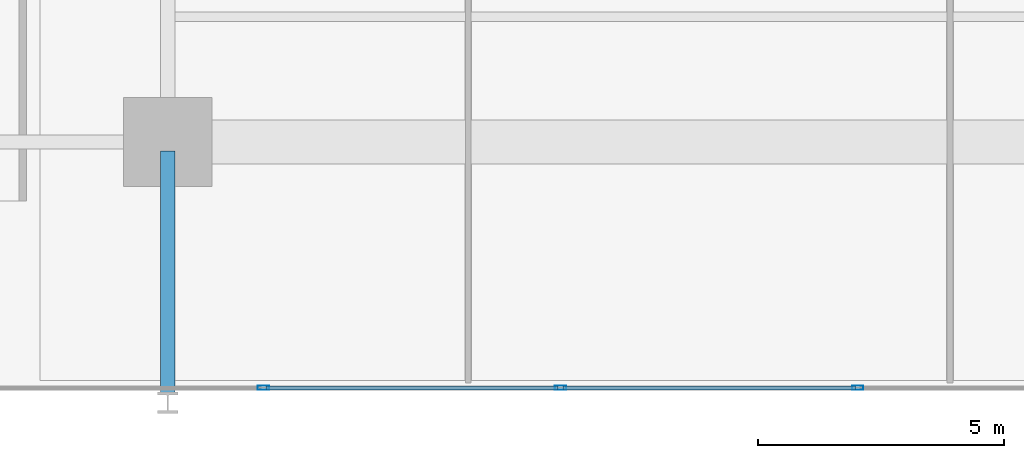
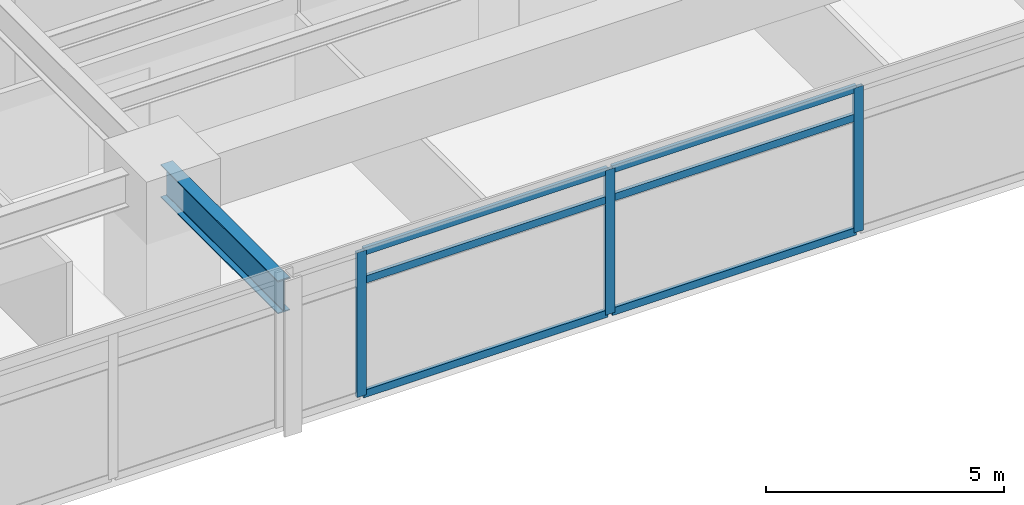
# One storey, part 4 of 21: 9 members, 1 beam, 1 element without a shape of its own.
"""IFC4 building model written with IfcOpenShell, lengths in metres."""

import ifcopenshell
import ifcopenshell.guid

model = None  # the IFC model being written
_history = None  # IfcOwnerHistory: only IFC2X3 demands one
_inside = {}  # id of a spatial element -> (the spatial element, [elements in it])
_under = {}  # id of a project, library or spatial element -> (it, [spatial elements below it])
_declared = {}  # id of a project -> (the project, [libraries it declares])
_typed = {}  # id of a type object -> (the type object, [elements of that type])
_made_of = {}  # id of a material, layer set ... -> (it, [elements and type objects made of it])


def new_model(schema):
    """Start an empty IFC model of exactly this schema.

    Asked for "IFC4X3", IfcOpenShell would pick the latest addendum, in which some entities
    have other attributes; the version numbers below select the first issue.
    IFC2X3 requires an IfcOwnerHistory on every rooted entity: one is made here for all.
    """
    global model, _history
    if schema == "IFC4X3":
        model = ifcopenshell.file(schema_version=(4, 3, 0, 0))
    else:
        model = ifcopenshell.file(schema=schema)
    _inside.clear()
    _under.clear()
    _declared.clear()
    _typed.clear()
    _made_of.clear()
    _history = None
    if model.schema == "IFC2X3":
        org = make("IfcOrganization", Name="unknown")
        user = make(
            "IfcPersonAndOrganization",
            ThePerson=make("IfcPerson", FamilyName="unknown"),
            TheOrganization=org,
        )
        app = make(
            "IfcApplication",
            ApplicationDeveloper=org,
            Version="unknown",
            ApplicationFullName="unknown",
            ApplicationIdentifier="unknown",
        )
        _history = make(
            "IfcOwnerHistory",
            OwningUser=user,
            OwningApplication=app,
            ChangeAction="ADDED",
            CreationDate=0,
        )
    return model


def make(cls, **values):
    """One entity of the class cls with the attributes given. An attribute that is None is left unset."""
    return model.create_entity(
        cls, **{name: value for name, value in values.items() if value is not None}
    )


def rooted(cls, **values):
    """An entity with a GlobalId (a new one), such as an element, a storey or a relation."""
    return make(cls, GlobalId=ifcopenshell.guid.new(), OwnerHistory=_history, **values)


def si_unit(unit_type, name, prefix=None):
    """IfcSIUnit, for example si_unit("LENGTHUNIT", "METRE", prefix="MILLI")."""
    return make("IfcSIUnit", UnitType=unit_type, Prefix=prefix, Name=name)


def assignment(units):
    """IfcUnitAssignment: the units of a project."""
    return None if units is None else make("IfcUnitAssignment", Units=units)


def point(xyz):
    """IfcCartesianPoint."""
    return None if xyz is None else make("IfcCartesianPoint", Coordinates=xyz)


def direction(xyz):
    """IfcDirection."""
    return None if xyz is None else make("IfcDirection", DirectionRatios=xyz)


def frame(location, z_axis=None, x_axis=None):
    """IfcAxis2Placement3D, a coordinate frame: its origin and axes. An axis left out is left unset."""
    return make(
        "IfcAxis2Placement3D",
        Location=point(location),
        Axis=direction(z_axis),
        RefDirection=direction(x_axis),
    )


def frame_2d(location, x_axis=None):
    """IfcAxis2Placement2D, a coordinate frame in the plane: its origin and x axis."""
    return make(
        "IfcAxis2Placement2D", Location=point(location), RefDirection=direction(x_axis)
    )


def origin():
    """The frame at (0, 0, 0) with its axes left unset."""
    return frame((0.0, 0.0, 0.0))


def origin_2d():
    """The frame at (0, 0) in the plane with its x axis left unset."""
    return frame_2d((0.0, 0.0))


def place(relative_to, where):
    """IfcLocalPlacement: puts the frame where relative to a parent placement (None: the world)."""
    return make(
        "IfcLocalPlacement", PlacementRelTo=relative_to, RelativePlacement=where
    )


def context(
    kind, dimensions, precision=None, world=None, true_north=None, identifier=None
):
    """IfcGeometricRepresentationContext, for example the 3D "Model" context."""
    return make(
        "IfcGeometricRepresentationContext",
        ContextIdentifier=identifier,
        ContextType=kind,
        CoordinateSpaceDimension=dimensions,
        Precision=precision,
        WorldCoordinateSystem=world,
        TrueNorth=true_north,
    )


def subcontext(parent, identifier, kind, view, scale=None):
    """IfcGeometricRepresentationSubContext, for example "Body" below "Model"."""
    return make(
        "IfcGeometricRepresentationSubContext",
        ContextIdentifier=identifier,
        ContextType=kind,
        ParentContext=parent,
        TargetScale=scale,
        TargetView=view,
    )


def project(units=None, contexts=None):
    """IfcProject with its units and contexts."""
    return rooted(
        "IfcProject",
        Name="project",
        RepresentationContexts=contexts,
        UnitsInContext=assignment(units),
    )


def spatial(cls, under=None, at=None, **own):
    """A site, building, storey or space (cls), placed at a placement, below another one or the project."""
    s = rooted(cls, ObjectPlacement=at, **own)
    if under is not None:
        _under.setdefault(under.id(), (under, []))[1].append(s)
    return s


def profile(cls, at=None, kind="AREA", **sizes):
    """A parametric profile (cls). Its sizes go by their IFC names, for example OverallWidth=200.0."""
    return make(cls, ProfileType=kind, Position=at, **sizes)


def hollow_rectangle(**sizes):
    """IfcRectangleHollowProfileDef."""
    return profile("IfcRectangleHollowProfileDef", **sizes)


def i_section(**sizes):
    """IfcIShapeProfileDef."""
    return profile("IfcIShapeProfileDef", **sizes)


def extrude(swept, where, along, depth):
    """IfcExtrudedAreaSolid: the profile swept, set in the frame where, extruded along a direction by depth."""
    return make(
        "IfcExtrudedAreaSolid",
        SweptArea=swept,
        Position=where,
        ExtrudedDirection=direction(along),
        Depth=depth,
    )


def shape(context_of_items, identifier, shape_type, items):
    """IfcShapeRepresentation: the items that make up one representation, for example the "Body"."""
    return make(
        "IfcShapeRepresentation",
        ContextOfItems=context_of_items,
        RepresentationIdentifier=identifier,
        RepresentationType=shape_type,
        Items=items,
    )


def material(Name=None, Category=None):
    """IfcMaterial."""
    return make("IfcMaterial", Name=Name, Category=Category)


def material_profile(
    of_material, cross_section, Name=None, Category=None, Priority=None
):
    """IfcMaterialProfile: a cross section and its material."""
    return make(
        "IfcMaterialProfile",
        Name=Name,
        Material=of_material,
        Profile=cross_section,
        Priority=Priority,
        Category=Category,
    )


def profile_set(profiles, Name=None, composite=None):
    """IfcMaterialProfileSet."""
    return make(
        "IfcMaterialProfileSet",
        Name=Name,
        MaterialProfiles=profiles,
        CompositeProfile=composite,
    )


def made_of(thing, what):
    """Note that an element or type object is made of a material, layer set ...; save() writes the relation."""
    if what is not None:
        _made_of.setdefault(what.id(), (what, []))[1].append(thing)
    return thing


def type_object(cls, material=None, **own):
    """A type object (cls), such as IfcWallType, which elements share."""
    return made_of(rooted(cls, **own), material)


def element(
    cls,
    number,
    at=None,
    inside=None,
    cuts=None,
    type_object=None,
    material=None,
    context=None,
    identifier="Body",
    shape_type=None,
    held_by="IfcProductDefinitionShape",
    body=None,
    shapes=None,
    **own,
):
    """One element of the class cls, such as IfcWall. Its Tag is "e" and its number.

    at: its placement. inside: the storey or other place that contains it. cuts: it is an
    opening in that element (IfcRelVoidsElement). A single representation is given by context,
    identifier, shape_type and body (its items); several are given by shapes. held_by: the class
    of the entity that holds the representations. save() writes the other relations.
    """
    e = rooted(cls, Tag="e%d" % number, ObjectPlacement=at, **own)
    if body is not None:
        shapes = [shape(context, identifier, shape_type, body)]
    if shapes is not None:
        e.Representation = make(held_by, Representations=shapes)
    if inside is not None:
        _inside.setdefault(inside.id(), (inside, []))[1].append(e)
    if cuts is not None:
        rooted(
            "IfcRelVoidsElement", RelatingBuildingElement=cuts, RelatedOpeningElement=e
        )
    if type_object is not None:
        _typed.setdefault(type_object.id(), (type_object, []))[1].append(e)
    return made_of(e, material)


def aggregate(whole, parts):
    """IfcRelAggregates: a whole, such as a stair, and the parts it consists of."""
    return rooted("IfcRelAggregates", RelatingObject=whole, RelatedObjects=parts)


def save(model, path):
    """Write the relations noted so far, then the file.

    IfcRelAggregates (storeys below a building ...), IfcRelContainedInSpatialStructure (elements
    in a storey), IfcRelDefinesByType, IfcRelAssociatesMaterial and IfcRelDeclares: one each for
    every whole, place, type object, material and project.
    """
    for whole, parts in _under.values():
        aggregate(whole, parts)
    for where, things in _inside.values():
        rooted(
            "IfcRelContainedInSpatialStructure",
            RelatedElements=things,
            RelatingStructure=where,
        )
    for kind, things in _typed.values():
        rooted("IfcRelDefinesByType", RelatedObjects=things, RelatingType=kind)
    for what, things in _made_of.values():
        rooted("IfcRelAssociatesMaterial", RelatedObjects=things, RelatingMaterial=what)
    for by, libraries in _declared.values():
        rooted("IfcRelDeclares", RelatingContext=by, RelatedDefinitions=libraries)
    model.write(path)


model = new_model("IFC4")

# Units and contexts
model_context = context("Model", 3, precision=1e-05, world=origin(), true_north=direction((0.0, 1.0)))
body_context = subcontext(model_context, "Body", "Model", "MODEL_VIEW")
ifc_project = project(units=[si_unit("LENGTHUNIT", "METRE"), si_unit("AREAUNIT", "SQUARE_METRE"), si_unit("VOLUMEUNIT", "CUBIC_METRE"), si_unit("PLANEANGLEUNIT", "RADIAN"), si_unit("MASSUNIT", "GRAM", prefix="KILO")], contexts=[model_context])

# Site, building, storey
site_placement = place(None, origin())
site = spatial("IfcSite", under=ifc_project, at=site_placement, CompositionType="ELEMENT")
building_placement = place(site_placement, origin())
building = spatial("IfcBuilding", under=site, at=building_placement, Name="Kovane Verandah Tower", CompositionType="ELEMENT")
storey_placement = place(building_placement, frame((0.0, 0.0, 31.60009765625)))
storey = spatial("IfcBuildingStorey", under=building, at=storey_placement, Name="L06", CompositionType="ELEMENT", Elevation=31.60009765625)

# Beam
ifc_material_1 = material(Name="Steel S355", Category="steel")
ifc_material_profile_1 = material_profile(ifc_material_1, i_section(OverallWidth=0.293701171875, OverallDepth=0.850830078125, WebThickness=0.01611328125, FlangeThickness=0.02685546875, FilletRadius=0.017822265625, at=origin_2d()), Name="UB838x292x226")
ifc_profile_set_1 = profile_set([ifc_material_profile_1], Name="Steel S355")
beam_type = type_object("IfcBeamType", Name="BM-UB838x226", PredefinedType="BEAM", material=ifc_profile_set_1)
beam_placement = place(storey_placement, frame((29.0, 10.6201171875, 3.33447265625), z_axis=(0.0, -1.0, 0.0), x_axis=(1.0, 0.0, 0.0)))
element("IfcBeam", 1, at=beam_placement, inside=storey, type_object=beam_type, Name="L06 Primary Tower Girder G-VS1", PredefinedType="BEAM", context=body_context, shape_type="SweptSolid", body=[
    extrude(i_section(OverallWidth=0.293701171875, OverallDepth=0.850830078125, WebThickness=0.01611328125, FlangeThickness=0.02685546875, FilletRadius=0.017822265625, at=origin_2d()), origin(), (0.0, 0.0, 1.0), 4.940185546875),
])

# Curtain wall, members
ifc_material_2 = material(Name="Champagne Anodised Aluminium Frame with Low-E Clear Laminated Glass", Category="aluminium")
curtain_wall_type = type_object("IfcCurtainWallType", Name="CW-SYS-02-LOW", PredefinedType="NOTDEFINED", material=ifc_material_2)
curtain_wall_placement = place(storey_placement, origin())
curtain_wall = element("IfcCurtainWall", 2, at=curtain_wall_placement, inside=storey, type_object=curtain_wall_type, Name="L06 S Unitised Curtain Wall", PredefinedType="NOTDEFINED")
ifc_material_3 = material(Name="Champagne Anodised Aluminium 6063-T6", Category="aluminium")
ifc_material_profile_2 = material_profile(ifc_material_3, hollow_rectangle(XDim=0.0849609375, YDim=0.22998046875, WallThickness=0.00390625, at=origin_2d()), Name="AL85x230x4")
ifc_profile_set_2 = profile_set([ifc_material_profile_2], Name="Champagne Anodised Aluminium 6063-T6")
member_type_1 = type_object("IfcMemberType", Name="CW-MUL-85x230", PredefinedType="MULLION", material=ifc_profile_set_2)
member_1_placement = place(storey_placement, frame((30.94189453125, 5.804931640625, 0.02001953125), z_axis=(0.0, 0.0, 1.0), x_axis=(0.0, -1.0, 0.0)))
member_1 = element("IfcMember", 3, at=member_1_placement, type_object=member_type_1, Name="L06 S Unitised Curtain Wall Mullion 3", PredefinedType="MULLION", context=body_context, shape_type="SweptSolid", body=[
    extrude(hollow_rectangle(XDim=0.0849609375, YDim=0.22998046875, WallThickness=0.00390625, at=origin_2d()), origin(), (0.0, 0.0, 1.0), 3.719970703125),
])
member_2_placement = place(storey_placement, frame((36.980712890625, 5.804931640625, 0.02001953125), z_axis=(0.0, 0.0, 1.0), x_axis=(0.0, -1.0, 0.0)))
member_2 = element("IfcMember", 4, at=member_2_placement, type_object=member_type_1, Name="L06 S Unitised Curtain Wall Mullion 4", PredefinedType="MULLION", context=body_context, shape_type="SweptSolid", body=[
    extrude(hollow_rectangle(XDim=0.0849609375, YDim=0.22998046875, WallThickness=0.00390625, at=origin_2d()), origin(), (0.0, 0.0, 1.0), 3.719970703125),
])
member_3_placement = place(storey_placement, frame((43.019287109375, 5.804931640625, 0.02001953125), z_axis=(0.0, 0.0, 1.0), x_axis=(0.0, -1.0, 0.0)))
member_3 = element("IfcMember", 5, at=member_3_placement, type_object=member_type_1, Name="L06 S Unitised Curtain Wall Mullion 5", PredefinedType="MULLION", context=body_context, shape_type="SweptSolid", body=[
    extrude(hollow_rectangle(XDim=0.0849609375, YDim=0.22998046875, WallThickness=0.00390625, at=origin_2d()), origin(), (0.0, 0.0, 1.0), 3.719970703125),
])
ifc_material_profile_3 = material_profile(ifc_material_3, hollow_rectangle(XDim=0.0849609375, YDim=0.18994140625, WallThickness=0.00390625, at=origin_2d()), Name="AL85x190x4")
ifc_profile_set_3 = profile_set([ifc_material_profile_3], Name="Champagne Anodised Aluminium 6063-T6")
member_type_2 = type_object("IfcMemberType", Name="CW-TRN-85x190", PredefinedType="USERDEFINED", material=ifc_profile_set_3)
member_4_placement = place(storey_placement, frame((30.99169921875, 5.804931640625, 0.0498046875), z_axis=(1.0, 0.0, 0.0), x_axis=(0.0, 1.0, 0.0)))
member_4 = element("IfcMember", 6, at=member_4_placement, type_object=member_type_2, Name="L06 S Unitised Curtain Wall Transom TB Bay 3", ObjectType="TRANSOM", PredefinedType="USERDEFINED", context=body_context, shape_type="SweptSolid", body=[
    extrude(hollow_rectangle(XDim=0.0849609375, YDim=0.18994140625, WallThickness=0.00390625, at=origin_2d()), origin(), (0.0, 0.0, 1.0), 5.93896484375),
])
member_5_placement = place(storey_placement, frame((30.99169921875, 5.804931640625, 2.97998046875), z_axis=(1.0, 0.0, 0.0), x_axis=(0.0, 1.0, 0.0)))
member_5 = element("IfcMember", 7, at=member_5_placement, type_object=member_type_2, Name="L06 S Unitised Curtain Wall Transom TM Bay 3", ObjectType="TRANSOM", PredefinedType="USERDEFINED", context=body_context, shape_type="SweptSolid", body=[
    extrude(hollow_rectangle(XDim=0.0849609375, YDim=0.18994140625, WallThickness=0.00390625, at=origin_2d()), origin(), (0.0, 0.0, 1.0), 5.93896484375),
])
member_6_placement = place(storey_placement, frame((30.99169921875, 5.804931640625, 3.7099609375), z_axis=(1.0, 0.0, 0.0), x_axis=(0.0, 1.0, 0.0)))
member_6 = element("IfcMember", 8, at=member_6_placement, type_object=member_type_2, Name="L06 S Unitised Curtain Wall Transom TT Bay 3", ObjectType="TRANSOM", PredefinedType="USERDEFINED", context=body_context, shape_type="SweptSolid", body=[
    extrude(hollow_rectangle(XDim=0.0849609375, YDim=0.18994140625, WallThickness=0.00390625, at=origin_2d()), origin(), (0.0, 0.0, 1.0), 5.93896484375),
])
member_7_placement = place(storey_placement, frame((37.030517578125, 5.804931640625, 0.0498046875), z_axis=(1.0, 0.0, 0.0), x_axis=(0.0, 1.0, 0.0)))
member_7 = element("IfcMember", 9, at=member_7_placement, type_object=member_type_2, Name="L06 S Unitised Curtain Wall Transom TB Bay 4", ObjectType="TRANSOM", PredefinedType="USERDEFINED", context=body_context, shape_type="SweptSolid", body=[
    extrude(hollow_rectangle(XDim=0.0849609375, YDim=0.18994140625, WallThickness=0.00390625, at=origin_2d()), origin(), (0.0, 0.0, 1.0), 5.93896484375),
])
member_8_placement = place(storey_placement, frame((37.030517578125, 5.804931640625, 2.97998046875), z_axis=(1.0, 0.0, 0.0), x_axis=(0.0, 1.0, 0.0)))
member_8 = element("IfcMember", 10, at=member_8_placement, type_object=member_type_2, Name="L06 S Unitised Curtain Wall Transom TM Bay 4", ObjectType="TRANSOM", PredefinedType="USERDEFINED", context=body_context, shape_type="SweptSolid", body=[
    extrude(hollow_rectangle(XDim=0.0849609375, YDim=0.18994140625, WallThickness=0.00390625, at=origin_2d()), origin(), (0.0, 0.0, 1.0), 5.93896484375),
])
member_9_placement = place(storey_placement, frame((37.030517578125, 5.804931640625, 3.7099609375), z_axis=(1.0, 0.0, 0.0), x_axis=(0.0, 1.0, 0.0)))
member_9 = element("IfcMember", 11, at=member_9_placement, type_object=member_type_2, Name="L06 S Unitised Curtain Wall Transom TT Bay 4", ObjectType="TRANSOM", PredefinedType="USERDEFINED", context=body_context, shape_type="SweptSolid", body=[
    extrude(hollow_rectangle(XDim=0.0849609375, YDim=0.18994140625, WallThickness=0.00390625, at=origin_2d()), origin(), (0.0, 0.0, 1.0), 5.93896484375),
])
aggregate(curtain_wall, [member_1, member_2, member_3, member_4, member_5, member_6, member_7, member_8, member_9])

save(model, "model.ifc")
